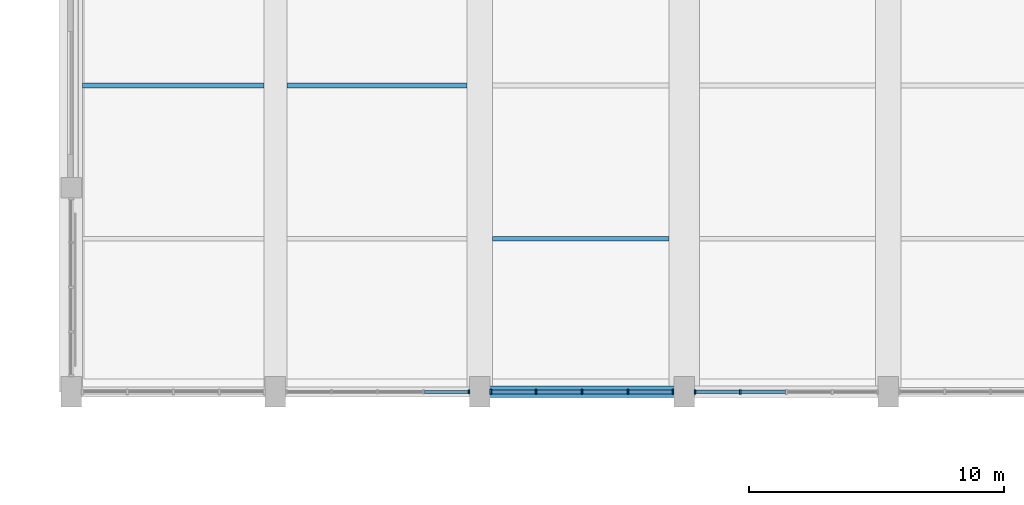
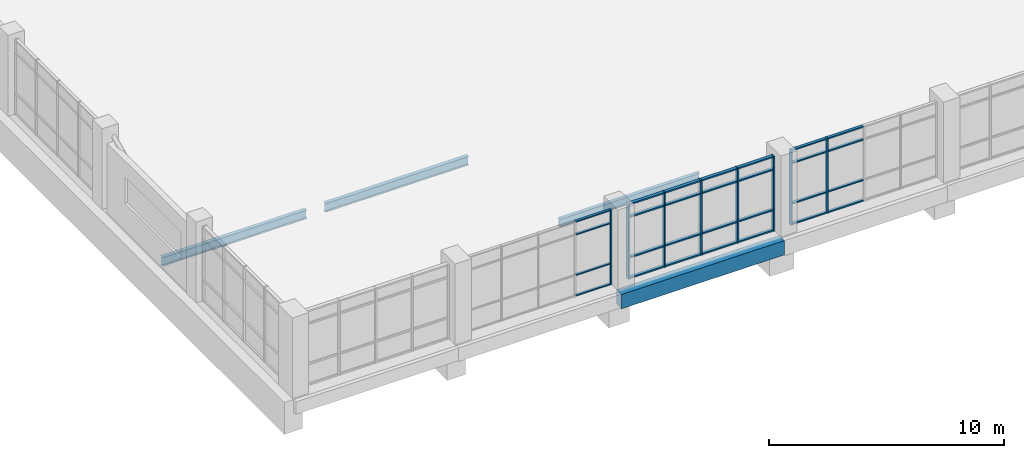
# One storey, part 4 of 84: 36 members, 4 beams, 3 elements without a shape of their own.
"""IFC4 building model written with IfcOpenShell, lengths in metres."""

from ifc_helpers import new_model, si_unit, direction, frame, origin, origin_2d, place, context, subcontext, project, spatial, rectangle, i_section, extrude, material, material_profile, profile_set, type_object, element, aggregate, save


model = new_model("IFC4")

# Units and contexts
model_context = context("Model", 3, precision=1e-05, world=origin(), true_north=direction((0.0, 1.0)))
body_context = subcontext(model_context, "Body", "Model", "MODEL_VIEW")
ifc_project = project(units=[si_unit("LENGTHUNIT", "METRE"), si_unit("AREAUNIT", "SQUARE_METRE"), si_unit("VOLUMEUNIT", "CUBIC_METRE"), si_unit("PLANEANGLEUNIT", "RADIAN"), si_unit("MASSUNIT", "GRAM", prefix="KILO")], contexts=[model_context])

# Site, building, storey
site_placement = place(None, origin())
site = spatial("IfcSite", under=ifc_project, at=site_placement, CompositionType="ELEMENT")
building_placement = place(site_placement, origin())
building = spatial("IfcBuilding", under=site, at=building_placement, Name="Tenunan Teduh Sports Hall", CompositionType="ELEMENT")
storey_placement = place(building_placement, frame((0.0, 0.0, 10.800048828125)))
storey = spatial("IfcBuildingStorey", under=building, at=storey_placement, Name="L02", CompositionType="ELEMENT", Elevation=10.800048828125)

# Beam
ifc_material_1 = material(Name="Concrete C40/50", Category="concrete")
ifc_material_profile_1 = material_profile(ifc_material_1, rectangle(XDim=0.449951171875, YDim=0.75, at=origin_2d()), Name="RCB 450x750")
ifc_profile_set_1 = profile_set([ifc_material_profile_1], Name="Concrete C40/50")
beam_type_1 = type_object("IfcBeamType", Name="BM-RC-450x750", PredefinedType="BEAM", material=ifc_profile_set_1)
beam_1_placement = place(storey_placement, frame((22.0, 14.0, -0.925048828125), z_axis=(1.0, 0.0, 0.0), x_axis=(0.0, 1.0, 0.0)))
element("IfcBeam", 1, at=beam_1_placement, inside=storey, type_object=beam_type_1, Name="BM-B-11-L02-1454", PredefinedType="BEAM", context=body_context, shape_type="SweptSolid", body=[
    extrude(rectangle(XDim=0.449951171875, YDim=0.75, at=origin_2d()), origin(), (0.0, 0.0, 1.0), 8.0),
])

# Curtain wall, member
ifc_material_2 = material(Name="Anodised aluminium", Category="aluminium")
curtain_wall_type = type_object("IfcCurtainWallType", Name="CW-UNIT-2", PredefinedType="NOTDEFINED", material=ifc_material_2)
curtain_wall_1_placement = place(storey_placement, origin())
curtain_wall_1 = element("IfcCurtainWall", 2, at=curtain_wall_1_placement, inside=storey, type_object=curtain_wall_type, Name="CW-CWM-150-L02-059", PredefinedType="NOTDEFINED")
ifc_material_3 = material(Name="Anodised aluminium", Category="aluminium")
ifc_material_profile_2 = material_profile(ifc_material_3, rectangle(XDim=0.06005859375, YDim=0.14990234375, at=origin_2d()), Name="CWM 60x150")
ifc_profile_set_2 = profile_set([ifc_material_profile_2], Name="Anodised aluminium")
member_type_1 = type_object("IfcMemberType", Name="CWM-150", PredefinedType="MULLION", material=ifc_profile_set_2)
member_1_placement = place(storey_placement, frame((21.570068359375, 14.0, 0.0), z_axis=(0.0, 0.0, 1.0), x_axis=(1.0, 0.0, 0.0)))
member_1 = element("IfcMember", 3, at=member_1_placement, type_object=member_type_1, Name="CW-02 mullion 5", PredefinedType="MULLION", context=body_context, shape_type="SweptSolid", body=[
    extrude(rectangle(XDim=0.06005859375, YDim=0.14990234375, at=origin_2d()), origin(), (0.0, 0.0, 1.0), 3.89990234375),
])

# Curtain wall, members
curtain_wall_2_placement = place(storey_placement, origin())
curtain_wall_2 = element("IfcCurtainWall", 4, at=curtain_wall_2_placement, inside=storey, type_object=curtain_wall_type, Name="CW-CWM-175-L02-062", PredefinedType="NOTDEFINED")
ifc_material_4 = material(Name="Anodised aluminium", Category="aluminium")
ifc_material_profile_3 = material_profile(ifc_material_4, rectangle(XDim=0.06494140625, YDim=0.175048828125, at=origin_2d()), Name="CWM 65x175")
ifc_profile_set_3 = profile_set([ifc_material_profile_3], Name="Anodised aluminium")
member_type_2 = type_object("IfcMemberType", Name="CWM-175", PredefinedType="MULLION", material=ifc_profile_set_3)
member_2_placement = place(storey_placement, frame((30.4326171875, 14.0, 0.0), z_axis=(0.0, 0.0, 1.0), x_axis=(1.0, 0.0, 0.0)))
member_2 = element("IfcMember", 5, at=member_2_placement, type_object=member_type_2, Name="CW-02 mullion 1", PredefinedType="MULLION", context=body_context, shape_type="SweptSolid", body=[
    extrude(rectangle(XDim=0.06494140625, YDim=0.175048828125, at=origin_2d()), origin(), (0.0, 0.0, 1.0), 3.89990234375),
])
member_3_placement = place(storey_placement, frame((32.199951171875, 14.0, 0.0), z_axis=(0.0, 0.0, 1.0), x_axis=(1.0, 0.0, 0.0)))
member_3 = element("IfcMember", 6, at=member_3_placement, type_object=member_type_2, Name="CW-02 mullion 2", PredefinedType="MULLION", context=body_context, shape_type="SweptSolid", body=[
    extrude(rectangle(XDim=0.06494140625, YDim=0.175048828125, at=origin_2d()), origin(), (0.0, 0.0, 1.0), 3.89990234375),
])

curtain_wall_3_placement = place(storey_placement, origin())
curtain_wall_3 = element("IfcCurtainWall", 7, at=curtain_wall_3_placement, inside=storey, type_object=curtain_wall_type, Name="CW-CWM-200-L02-060", PredefinedType="NOTDEFINED")
ifc_material_5 = material(Name="Anodised aluminium", Category="aluminium")
ifc_material_profile_4 = material_profile(ifc_material_5, rectangle(XDim=0.070068359375, YDim=0.199951171875, at=origin_2d()), Name="CWM 70x200")
ifc_profile_set_4 = profile_set([ifc_material_profile_4], Name="Anodised aluminium")
member_type_3 = type_object("IfcMemberType", Name="CWM-200", PredefinedType="MULLION", material=ifc_profile_set_4)
member_4_placement = place(storey_placement, frame((22.43505859375, 14.0, 0.0), z_axis=(0.0, 0.0, 1.0), x_axis=(1.0, 0.0, 0.0)))
member_4 = element("IfcMember", 8, at=member_4_placement, type_object=member_type_3, Name="CW-02 mullion 1", PredefinedType="MULLION", context=body_context, shape_type="SweptSolid", body=[
    extrude(rectangle(XDim=0.070068359375, YDim=0.199951171875, at=origin_2d()), origin(), (0.0, 0.0, 1.0), 3.89990234375),
])
member_5_placement = place(storey_placement, frame((24.199951171875, 14.0, 0.0), z_axis=(0.0, 0.0, 1.0), x_axis=(1.0, 0.0, 0.0)))
member_5 = element("IfcMember", 9, at=member_5_placement, type_object=member_type_3, Name="CW-02 mullion 2", PredefinedType="MULLION", context=body_context, shape_type="SweptSolid", body=[
    extrude(rectangle(XDim=0.070068359375, YDim=0.199951171875, at=origin_2d()), origin(), (0.0, 0.0, 1.0), 3.89990234375),
])
member_6_placement = place(storey_placement, frame((26.0, 14.0, 0.0), z_axis=(0.0, 0.0, 1.0), x_axis=(1.0, 0.0, 0.0)))
member_6 = element("IfcMember", 10, at=member_6_placement, type_object=member_type_3, Name="CW-02 mullion 3", PredefinedType="MULLION", context=body_context, shape_type="SweptSolid", body=[
    extrude(rectangle(XDim=0.070068359375, YDim=0.199951171875, at=origin_2d()), origin(), (0.0, 0.0, 1.0), 3.89990234375),
])
member_7_placement = place(storey_placement, frame((27.800048828125, 14.0, 0.0), z_axis=(0.0, 0.0, 1.0), x_axis=(1.0, 0.0, 0.0)))
member_7 = element("IfcMember", 11, at=member_7_placement, type_object=member_type_3, Name="CW-02 mullion 4", PredefinedType="MULLION", context=body_context, shape_type="SweptSolid", body=[
    extrude(rectangle(XDim=0.070068359375, YDim=0.199951171875, at=origin_2d()), origin(), (0.0, 0.0, 1.0), 3.89990234375),
])
member_8_placement = place(storey_placement, frame((29.56494140625, 14.0, 0.0), z_axis=(0.0, 0.0, 1.0), x_axis=(1.0, 0.0, 0.0)))
member_8 = element("IfcMember", 12, at=member_8_placement, type_object=member_type_3, Name="CW-02 mullion 5", PredefinedType="MULLION", context=body_context, shape_type="SweptSolid", body=[
    extrude(rectangle(XDim=0.070068359375, YDim=0.199951171875, at=origin_2d()), origin(), (0.0, 0.0, 1.0), 3.89990234375),
])

# Member
ifc_material_6 = material(Name="Anodised aluminium", Category="aluminium")
ifc_material_profile_5 = material_profile(ifc_material_6, rectangle(XDim=0.06005859375, YDim=0.1201171875, at=origin_2d()), Name="CWT 60x120")
ifc_profile_set_5 = profile_set([ifc_material_profile_5], Name="Anodised aluminium")
member_type_4 = type_object("IfcMemberType", Name="CWT-125", PredefinedType="USERDEFINED", material=ifc_profile_set_5)
member_9_placement = place(storey_placement, frame((19.830078125, 14.0, 0.030029296875), z_axis=(1.0, 0.0, 0.0), x_axis=(0.0, 0.0, 1.0)))
member_9 = element("IfcMember", 13, at=member_9_placement, type_object=member_type_4, Name="CW-02 transom 4.1", ObjectType="TRANSOM", PredefinedType="USERDEFINED", context=body_context, shape_type="SweptSolid", body=[
    extrude(rectangle(XDim=0.06005859375, YDim=0.1201171875, at=origin_2d()), origin(), (0.0, 0.0, 1.0), 1.7099609375),
])

member_10_placement = place(storey_placement, frame((19.830078125, 14.0, 1.099853515625), z_axis=(1.0, 0.0, 0.0), x_axis=(0.0, 0.0, 1.0)))
member_10 = element("IfcMember", 14, at=member_10_placement, type_object=member_type_4, Name="CW-02 transom 4.2", ObjectType="TRANSOM", PredefinedType="USERDEFINED", context=body_context, shape_type="SweptSolid", body=[
    extrude(rectangle(XDim=0.06005859375, YDim=0.1201171875, at=origin_2d()), origin(), (0.0, 0.0, 1.0), 1.7099609375),
])

member_11_placement = place(storey_placement, frame((19.830078125, 14.0, 3.199951171875), z_axis=(1.0, 0.0, 0.0), x_axis=(0.0, 0.0, 1.0)))
member_11 = element("IfcMember", 15, at=member_11_placement, type_object=member_type_4, Name="CW-02 transom 4.3", ObjectType="TRANSOM", PredefinedType="USERDEFINED", context=body_context, shape_type="SweptSolid", body=[
    extrude(rectangle(XDim=0.06005859375, YDim=0.1201171875, at=origin_2d()), origin(), (0.0, 0.0, 1.0), 1.7099609375),
])

member_12_placement = place(storey_placement, frame((19.830078125, 14.0, 3.869873046875), z_axis=(1.0, 0.0, 0.0), x_axis=(0.0, 0.0, 1.0)))
member_12 = element("IfcMember", 16, at=member_12_placement, type_object=member_type_4, Name="CW-02 transom 4.4", ObjectType="TRANSOM", PredefinedType="USERDEFINED", context=body_context, shape_type="SweptSolid", body=[
    extrude(rectangle(XDim=0.06005859375, YDim=0.1201171875, at=origin_2d()), origin(), (0.0, 0.0, 1.0), 1.7099609375),
])

aggregate(curtain_wall_1, [member_1, member_9, member_10, member_11, member_12])

ifc_material_7 = material(Name="Anodised aluminium", Category="aluminium")
ifc_material_profile_6 = material_profile(ifc_material_7, rectangle(XDim=0.06494140625, YDim=0.139892578125, at=origin_2d()), Name="CWT 65x140")
ifc_profile_set_6 = profile_set([ifc_material_profile_6], Name="Anodised aluminium")
member_type_5 = type_object("IfcMemberType", Name="CWT-150", PredefinedType="USERDEFINED", material=ifc_profile_set_6)
member_13_placement = place(storey_placement, frame((30.465087890625, 14.0, 0.032470703125), z_axis=(1.0, 0.0, 0.0), x_axis=(0.0, 0.0, 1.0)))
member_13 = element("IfcMember", 17, at=member_13_placement, type_object=member_type_5, Name="CW-02 transom 1.1", ObjectType="TRANSOM", PredefinedType="USERDEFINED", context=body_context, shape_type="SweptSolid", body=[
    extrude(rectangle(XDim=0.06494140625, YDim=0.139892578125, at=origin_2d()), origin(), (0.0, 0.0, 1.0), 1.702392578125),
])

member_14_placement = place(storey_placement, frame((30.465087890625, 14.0, 1.099853515625), z_axis=(1.0, 0.0, 0.0), x_axis=(0.0, 0.0, 1.0)))
member_14 = element("IfcMember", 18, at=member_14_placement, type_object=member_type_5, Name="CW-02 transom 1.2", ObjectType="TRANSOM", PredefinedType="USERDEFINED", context=body_context, shape_type="SweptSolid", body=[
    extrude(rectangle(XDim=0.06494140625, YDim=0.139892578125, at=origin_2d()), origin(), (0.0, 0.0, 1.0), 1.702392578125),
])

member_15_placement = place(storey_placement, frame((30.465087890625, 14.0, 3.199951171875), z_axis=(1.0, 0.0, 0.0), x_axis=(0.0, 0.0, 1.0)))
member_15 = element("IfcMember", 19, at=member_15_placement, type_object=member_type_5, Name="CW-02 transom 1.3", ObjectType="TRANSOM", PredefinedType="USERDEFINED", context=body_context, shape_type="SweptSolid", body=[
    extrude(rectangle(XDim=0.06494140625, YDim=0.139892578125, at=origin_2d()), origin(), (0.0, 0.0, 1.0), 1.702392578125),
])

member_16_placement = place(storey_placement, frame((30.465087890625, 14.0, 3.867431640625), z_axis=(1.0, 0.0, 0.0), x_axis=(0.0, 0.0, 1.0)))
member_16 = element("IfcMember", 20, at=member_16_placement, type_object=member_type_5, Name="CW-02 transom 1.4", ObjectType="TRANSOM", PredefinedType="USERDEFINED", context=body_context, shape_type="SweptSolid", body=[
    extrude(rectangle(XDim=0.06494140625, YDim=0.139892578125, at=origin_2d()), origin(), (0.0, 0.0, 1.0), 1.702392578125),
])

member_17_placement = place(storey_placement, frame((32.232421875, 14.0, 0.032470703125), z_axis=(1.0, 0.0, 0.0), x_axis=(0.0, 0.0, 1.0)))
member_17 = element("IfcMember", 21, at=member_17_placement, type_object=member_type_5, Name="CW-02 transom 2.1", ObjectType="TRANSOM", PredefinedType="USERDEFINED", context=body_context, shape_type="SweptSolid", body=[
    extrude(rectangle(XDim=0.06494140625, YDim=0.139892578125, at=origin_2d()), origin(), (0.0, 0.0, 1.0), 1.735107421875),
])

member_18_placement = place(storey_placement, frame((32.232421875, 14.0, 1.099853515625), z_axis=(1.0, 0.0, 0.0), x_axis=(0.0, 0.0, 1.0)))
member_18 = element("IfcMember", 22, at=member_18_placement, type_object=member_type_5, Name="CW-02 transom 2.2", ObjectType="TRANSOM", PredefinedType="USERDEFINED", context=body_context, shape_type="SweptSolid", body=[
    extrude(rectangle(XDim=0.06494140625, YDim=0.139892578125, at=origin_2d()), origin(), (0.0, 0.0, 1.0), 1.735107421875),
])

member_19_placement = place(storey_placement, frame((32.232421875, 14.0, 3.199951171875), z_axis=(1.0, 0.0, 0.0), x_axis=(0.0, 0.0, 1.0)))
member_19 = element("IfcMember", 23, at=member_19_placement, type_object=member_type_5, Name="CW-02 transom 2.3", ObjectType="TRANSOM", PredefinedType="USERDEFINED", context=body_context, shape_type="SweptSolid", body=[
    extrude(rectangle(XDim=0.06494140625, YDim=0.139892578125, at=origin_2d()), origin(), (0.0, 0.0, 1.0), 1.735107421875),
])

member_20_placement = place(storey_placement, frame((32.232421875, 14.0, 3.867431640625), z_axis=(1.0, 0.0, 0.0), x_axis=(0.0, 0.0, 1.0)))
member_20 = element("IfcMember", 24, at=member_20_placement, type_object=member_type_5, Name="CW-02 transom 2.4", ObjectType="TRANSOM", PredefinedType="USERDEFINED", context=body_context, shape_type="SweptSolid", body=[
    extrude(rectangle(XDim=0.06494140625, YDim=0.139892578125, at=origin_2d()), origin(), (0.0, 0.0, 1.0), 1.735107421875),
])

aggregate(curtain_wall_2, [member_2, member_3, member_13, member_14, member_15, member_16, member_17, member_18, member_19, member_20])

ifc_material_8 = material(Name="Anodised aluminium", Category="aluminium")
ifc_material_profile_7 = material_profile(ifc_material_8, rectangle(XDim=0.070068359375, YDim=0.159912109375, at=origin_2d()), Name="CWT 70x160")
ifc_profile_set_7 = profile_set([ifc_material_profile_7], Name="Anodised aluminium")
member_type_6 = type_object("IfcMemberType", Name="CWT-200", PredefinedType="USERDEFINED", material=ifc_profile_set_7)
member_21_placement = place(storey_placement, frame((22.469970703125, 14.0, 0.034912109375), z_axis=(1.0, 0.0, 0.0), x_axis=(0.0, 0.0, 1.0)))
member_21 = element("IfcMember", 25, at=member_21_placement, type_object=member_type_6, Name="CW-02 transom 1.1", ObjectType="TRANSOM", PredefinedType="USERDEFINED", context=body_context, shape_type="SweptSolid", body=[
    extrude(rectangle(XDim=0.070068359375, YDim=0.159912109375, at=origin_2d()), origin(), (0.0, 0.0, 1.0), 1.695068359375),
])

member_22_placement = place(storey_placement, frame((22.469970703125, 14.0, 1.099853515625), z_axis=(1.0, 0.0, 0.0), x_axis=(0.0, 0.0, 1.0)))
member_22 = element("IfcMember", 26, at=member_22_placement, type_object=member_type_6, Name="CW-02 transom 1.2", ObjectType="TRANSOM", PredefinedType="USERDEFINED", context=body_context, shape_type="SweptSolid", body=[
    extrude(rectangle(XDim=0.070068359375, YDim=0.159912109375, at=origin_2d()), origin(), (0.0, 0.0, 1.0), 1.695068359375),
])

member_23_placement = place(storey_placement, frame((22.469970703125, 14.0, 3.199951171875), z_axis=(1.0, 0.0, 0.0), x_axis=(0.0, 0.0, 1.0)))
member_23 = element("IfcMember", 27, at=member_23_placement, type_object=member_type_6, Name="CW-02 transom 1.3", ObjectType="TRANSOM", PredefinedType="USERDEFINED", context=body_context, shape_type="SweptSolid", body=[
    extrude(rectangle(XDim=0.070068359375, YDim=0.159912109375, at=origin_2d()), origin(), (0.0, 0.0, 1.0), 1.695068359375),
])

member_24_placement = place(storey_placement, frame((22.469970703125, 14.0, 3.864990234375), z_axis=(1.0, 0.0, 0.0), x_axis=(0.0, 0.0, 1.0)))
member_24 = element("IfcMember", 28, at=member_24_placement, type_object=member_type_6, Name="CW-02 transom 1.4", ObjectType="TRANSOM", PredefinedType="USERDEFINED", context=body_context, shape_type="SweptSolid", body=[
    extrude(rectangle(XDim=0.070068359375, YDim=0.159912109375, at=origin_2d()), origin(), (0.0, 0.0, 1.0), 1.695068359375),
])

member_25_placement = place(storey_placement, frame((24.235107421875, 14.0, 0.034912109375), z_axis=(1.0, 0.0, 0.0), x_axis=(0.0, 0.0, 1.0)))
member_25 = element("IfcMember", 29, at=member_25_placement, type_object=member_type_6, Name="CW-02 transom 2.1", ObjectType="TRANSOM", PredefinedType="USERDEFINED", context=body_context, shape_type="SweptSolid", body=[
    extrude(rectangle(XDim=0.070068359375, YDim=0.159912109375, at=origin_2d()), origin(), (0.0, 0.0, 1.0), 1.72998046875),
])

member_26_placement = place(storey_placement, frame((24.235107421875, 14.0, 1.099853515625), z_axis=(1.0, 0.0, 0.0), x_axis=(0.0, 0.0, 1.0)))
member_26 = element("IfcMember", 30, at=member_26_placement, type_object=member_type_6, Name="CW-02 transom 2.2", ObjectType="TRANSOM", PredefinedType="USERDEFINED", context=body_context, shape_type="SweptSolid", body=[
    extrude(rectangle(XDim=0.070068359375, YDim=0.159912109375, at=origin_2d()), origin(), (0.0, 0.0, 1.0), 1.72998046875),
])

member_27_placement = place(storey_placement, frame((24.235107421875, 14.0, 3.199951171875), z_axis=(1.0, 0.0, 0.0), x_axis=(0.0, 0.0, 1.0)))
member_27 = element("IfcMember", 31, at=member_27_placement, type_object=member_type_6, Name="CW-02 transom 2.3", ObjectType="TRANSOM", PredefinedType="USERDEFINED", context=body_context, shape_type="SweptSolid", body=[
    extrude(rectangle(XDim=0.070068359375, YDim=0.159912109375, at=origin_2d()), origin(), (0.0, 0.0, 1.0), 1.72998046875),
])

member_28_placement = place(storey_placement, frame((24.235107421875, 14.0, 3.864990234375), z_axis=(1.0, 0.0, 0.0), x_axis=(0.0, 0.0, 1.0)))
member_28 = element("IfcMember", 32, at=member_28_placement, type_object=member_type_6, Name="CW-02 transom 2.4", ObjectType="TRANSOM", PredefinedType="USERDEFINED", context=body_context, shape_type="SweptSolid", body=[
    extrude(rectangle(XDim=0.070068359375, YDim=0.159912109375, at=origin_2d()), origin(), (0.0, 0.0, 1.0), 1.72998046875),
])

member_29_placement = place(storey_placement, frame((26.034912109375, 14.0, 0.034912109375), z_axis=(1.0, 0.0, 0.0), x_axis=(0.0, 0.0, 1.0)))
member_29 = element("IfcMember", 33, at=member_29_placement, type_object=member_type_6, Name="CW-02 transom 3.1", ObjectType="TRANSOM", PredefinedType="USERDEFINED", context=body_context, shape_type="SweptSolid", body=[
    extrude(rectangle(XDim=0.070068359375, YDim=0.159912109375, at=origin_2d()), origin(), (0.0, 0.0, 1.0), 1.72998046875),
])

member_30_placement = place(storey_placement, frame((26.034912109375, 14.0, 1.099853515625), z_axis=(1.0, 0.0, 0.0), x_axis=(0.0, 0.0, 1.0)))
member_30 = element("IfcMember", 34, at=member_30_placement, type_object=member_type_6, Name="CW-02 transom 3.2", ObjectType="TRANSOM", PredefinedType="USERDEFINED", context=body_context, shape_type="SweptSolid", body=[
    extrude(rectangle(XDim=0.070068359375, YDim=0.159912109375, at=origin_2d()), origin(), (0.0, 0.0, 1.0), 1.72998046875),
])

member_31_placement = place(storey_placement, frame((26.034912109375, 14.0, 3.199951171875), z_axis=(1.0, 0.0, 0.0), x_axis=(0.0, 0.0, 1.0)))
member_31 = element("IfcMember", 35, at=member_31_placement, type_object=member_type_6, Name="CW-02 transom 3.3", ObjectType="TRANSOM", PredefinedType="USERDEFINED", context=body_context, shape_type="SweptSolid", body=[
    extrude(rectangle(XDim=0.070068359375, YDim=0.159912109375, at=origin_2d()), origin(), (0.0, 0.0, 1.0), 1.72998046875),
])

member_32_placement = place(storey_placement, frame((26.034912109375, 14.0, 3.864990234375), z_axis=(1.0, 0.0, 0.0), x_axis=(0.0, 0.0, 1.0)))
member_32 = element("IfcMember", 36, at=member_32_placement, type_object=member_type_6, Name="CW-02 transom 3.4", ObjectType="TRANSOM", PredefinedType="USERDEFINED", context=body_context, shape_type="SweptSolid", body=[
    extrude(rectangle(XDim=0.070068359375, YDim=0.159912109375, at=origin_2d()), origin(), (0.0, 0.0, 1.0), 1.72998046875),
])

member_33_placement = place(storey_placement, frame((27.8349609375, 14.0, 0.034912109375), z_axis=(1.0, 0.0, 0.0), x_axis=(0.0, 0.0, 1.0)))
member_33 = element("IfcMember", 37, at=member_33_placement, type_object=member_type_6, Name="CW-02 transom 4.1", ObjectType="TRANSOM", PredefinedType="USERDEFINED", context=body_context, shape_type="SweptSolid", body=[
    extrude(rectangle(XDim=0.070068359375, YDim=0.159912109375, at=origin_2d()), origin(), (0.0, 0.0, 1.0), 1.695068359375),
])

member_34_placement = place(storey_placement, frame((27.8349609375, 14.0, 1.099853515625), z_axis=(1.0, 0.0, 0.0), x_axis=(0.0, 0.0, 1.0)))
member_34 = element("IfcMember", 38, at=member_34_placement, type_object=member_type_6, Name="CW-02 transom 4.2", ObjectType="TRANSOM", PredefinedType="USERDEFINED", context=body_context, shape_type="SweptSolid", body=[
    extrude(rectangle(XDim=0.070068359375, YDim=0.159912109375, at=origin_2d()), origin(), (0.0, 0.0, 1.0), 1.695068359375),
])

member_35_placement = place(storey_placement, frame((27.8349609375, 14.0, 3.199951171875), z_axis=(1.0, 0.0, 0.0), x_axis=(0.0, 0.0, 1.0)))
member_35 = element("IfcMember", 39, at=member_35_placement, type_object=member_type_6, Name="CW-02 transom 4.3", ObjectType="TRANSOM", PredefinedType="USERDEFINED", context=body_context, shape_type="SweptSolid", body=[
    extrude(rectangle(XDim=0.070068359375, YDim=0.159912109375, at=origin_2d()), origin(), (0.0, 0.0, 1.0), 1.695068359375),
])

member_36_placement = place(storey_placement, frame((27.8349609375, 14.0, 3.864990234375), z_axis=(1.0, 0.0, 0.0), x_axis=(0.0, 0.0, 1.0)))
member_36 = element("IfcMember", 40, at=member_36_placement, type_object=member_type_6, Name="CW-02 transom 4.4", ObjectType="TRANSOM", PredefinedType="USERDEFINED", context=body_context, shape_type="SweptSolid", body=[
    extrude(rectangle(XDim=0.070068359375, YDim=0.159912109375, at=origin_2d()), origin(), (0.0, 0.0, 1.0), 1.695068359375),
])

aggregate(curtain_wall_3, [member_4, member_5, member_6, member_7, member_8, member_21, member_22, member_23, member_24, member_25, member_26, member_27, member_28, member_29, member_30, member_31, member_32, member_33, member_34, member_35, member_36])

# Beams
ifc_material_9 = material(Name="Steel S355", Category="steel")
ifc_material_profile_8 = material_profile(ifc_material_9, i_section(OverallWidth=0.177978515625, OverallDepth=0.406494140625, WebThickness=0.0078125, FlangeThickness=0.0126953125, FilletRadius=0.01025390625, at=origin_2d()), Name="UKB 406x178x60")
ifc_profile_set_8 = profile_set([ifc_material_profile_8], Name="Steel S355")
beam_type_2 = type_object("IfcBeamType", Name="SBM-UKB406", PredefinedType="BEAM", material=ifc_profile_set_8)
beam_2_placement = place(storey_placement, frame((22.5, 20.0, -0.753173828125), z_axis=(1.0, 0.0, 0.0), x_axis=(0.0, 1.0, 0.0)))
element("IfcBeam", 41, at=beam_2_placement, inside=storey, type_object=beam_type_2, Name="BM-SB-03-L02-0012", PredefinedType="BEAM", context=body_context, shape_type="SweptSolid", body=[
    extrude(i_section(OverallWidth=0.177978515625, OverallDepth=0.406494140625, WebThickness=0.0078125, FlangeThickness=0.0126953125, FilletRadius=0.01025390625, at=origin_2d()), origin(), (0.0, 0.0, 1.0), 6.89990234375),
])
ifc_material_10 = material(Name="Steel S355", Category="steel")
ifc_material_profile_9 = material_profile(ifc_material_10, i_section(OverallWidth=0.1904296875, OverallDepth=0.45703125, WebThickness=0.009033203125, FlangeThickness=0.014404296875, FilletRadius=0.01025390625, at=origin_2d()), Name="UKB 457x191x74")
ifc_profile_set_9 = profile_set([ifc_material_profile_9], Name="Steel S355")
beam_type_3 = type_object("IfcBeamType", Name="SBM-UKB457", PredefinedType="BEAM", material=ifc_profile_set_9)
beam_3_placement = place(storey_placement, frame((6.449951171875, 26.0, -0.778564453125), z_axis=(1.0, 0.0, 0.0), x_axis=(0.0, 1.0, 0.0)))
element("IfcBeam", 42, at=beam_3_placement, inside=storey, type_object=beam_type_3, Name="BM-SB-04-L02-0003", PredefinedType="BEAM", context=body_context, shape_type="SweptSolid", body=[
    extrude(i_section(OverallWidth=0.1904296875, OverallDepth=0.45703125, WebThickness=0.009033203125, FlangeThickness=0.014404296875, FilletRadius=0.01025390625, at=origin_2d()), origin(), (0.0, 0.0, 1.0), 7.10009765625),
])
beam_4_placement = place(storey_placement, frame((14.449951171875, 26.0, -0.778564453125), z_axis=(1.0, 0.0, 0.0), x_axis=(0.0, 1.0, 0.0)))
element("IfcBeam", 43, at=beam_4_placement, inside=storey, type_object=beam_type_3, Name="BM-SB-04-L02-0008", PredefinedType="BEAM", context=body_context, shape_type="SweptSolid", body=[
    extrude(i_section(OverallWidth=0.1904296875, OverallDepth=0.45703125, WebThickness=0.009033203125, FlangeThickness=0.014404296875, FilletRadius=0.01025390625, at=origin_2d()), origin(), (0.0, 0.0, 1.0), 7.050048828125),
])

save(model, "model.ifc")
